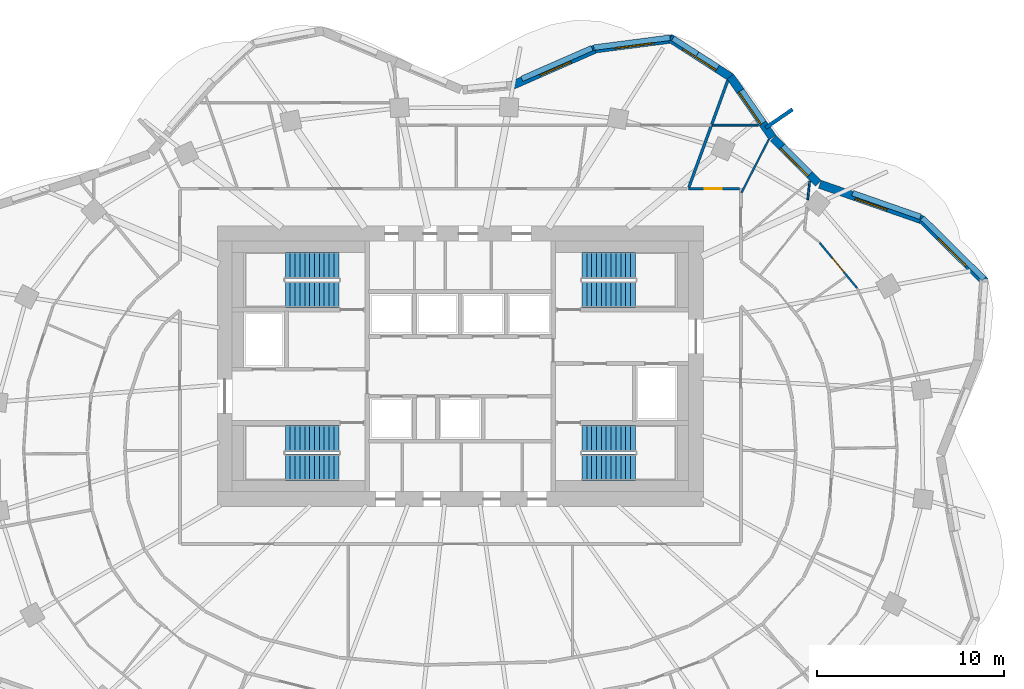
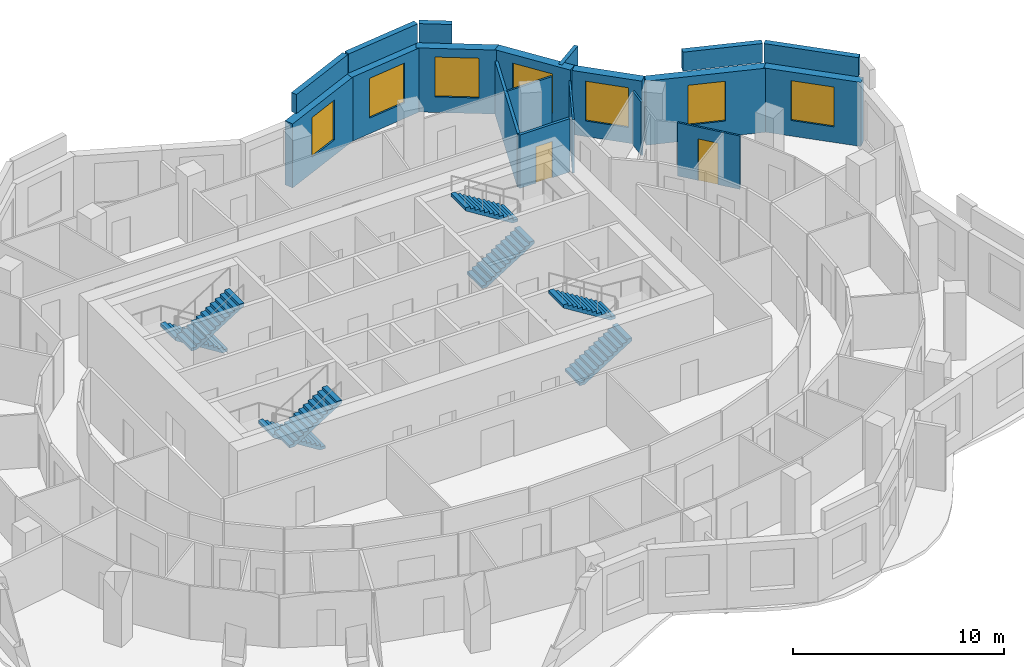
# One storey, part 10 of 11: 19 walls, 8 stair flights, 7 windows, 2 doors, 9 openings, 4 elements without a shape of their own.
"""IFC4 building model written with IfcOpenShell, lengths in metres."""

from ifc_helpers import new_model, si_unit, direction, frame, frame_2d, origin, place, context, subcontext, project, spatial, polyline, rectangle, outline, extrude, material, layer, layer_set, type_object, element, fill, aggregate, save


model = new_model("IFC4")

# Units and contexts
model_context = context("Model", 3, precision=1e-05, world=origin(), true_north=direction((0.0, 1.0)))
body_context = subcontext(model_context, "Body", "Model", "MODEL_VIEW")
ifc_project = project(units=[si_unit("LENGTHUNIT", "METRE"), si_unit("AREAUNIT", "SQUARE_METRE"), si_unit("VOLUMEUNIT", "CUBIC_METRE"), si_unit("PLANEANGLEUNIT", "RADIAN"), si_unit("MASSUNIT", "GRAM", prefix="KILO")], contexts=[model_context])

# Site, building, storey
site_placement = place(None, origin())
site = spatial("IfcSite", under=ifc_project, at=site_placement, CompositionType="ELEMENT")
building_placement = place(site_placement, origin())
building = spatial("IfcBuilding", under=site, at=building_placement, Name="Rubra Terraces Tower", CompositionType="ELEMENT")
storey_placement = place(building_placement, frame((0.0, 0.0, 197.39990234375)))
storey = spatial("IfcBuildingStorey", under=building, at=storey_placement, Name="L48", CompositionType="ELEMENT", Elevation=197.39990234375)

# Wall, opening, window
ifc_material_1 = material(Name="Brick masonry red-brown", Category="masonry")
ifc_layer_1 = layer(ifc_material_1, 0.449951171875)
ifc_layer_set_1 = layer_set([ifc_layer_1], Name="Brick masonry red-brown")
wall_type_1 = type_object("IfcWallType", Name="Brick facade wall 450", PredefinedType="SOLIDWALL", material=ifc_layer_set_1)
wall_1_placement = place(storey_placement, frame((28.06787109375, 9.010986328125, 0.0), z_axis=(0.0, 0.0, 1.0), x_axis=(-0.711293453435, 0.702895172199, 0.0)))
wall_1 = element("IfcWall", 1, at=wall_1_placement, inside=storey, type_object=wall_type_1, Name="Facade wall L48 bay 3", PredefinedType="SOLIDWALL", context=body_context, shape_type="SweptSolid", body=[
    extrude(rectangle(XDim=4.767578125, YDim=0.449951171875, at=frame_2d((2.3837890625, 0.0))), origin(), (0.0, 0.0, 1.0), 3.7001953125),
])
opening_1_placement = place(wall_1_placement, frame((1.333740234375, 0.0, 0.89990234375)))
opening_1 = element("IfcOpeningElement", 2, at=opening_1_placement, cuts=wall_1, Name="Opening W1B", PredefinedType="OPENING", context=body_context, shape_type="SweptSolid", body=[
    extrude(rectangle(XDim=2.10009765625, YDim=2.300048828125, at=frame_2d((1.050048828125, 1.14990234375))), frame((0.0, 0.23486328125, 0.0), z_axis=(0.0, -1.0, 0.0), x_axis=(1.0, 0.0, 0.0)), (0.0, 0.0, 1.0), 0.469970703125),
])
ifc_material_2 = material(Name="Clear glass in aluminium frame", Category="aluminium")
window_type_1 = type_object("IfcWindowType", Name="Fixed deep-set window tall storey 2100 x 2300", PartitioningType="SINGLE_PANEL", PredefinedType="WINDOW", material=ifc_material_2)
window_1_placement = place(opening_1_placement, origin())
window_1 = element("IfcWindow", 3, at=window_1_placement, inside=storey, type_object=window_type_1, Name="Window L48 bay 3", OverallHeight=2.300048828125, OverallWidth=2.10009765625, PartitioningType="SINGLE_PANEL", PredefinedType="WINDOW", context=body_context, shape_type="SweptSolid", body=[
    extrude(rectangle(XDim=2.10009765625, YDim=2.300048828125, at=frame_2d((1.050048828125, 1.14990234375))), frame((0.0, 0.135009765625, 0.0), z_axis=(0.0, -1.0, 0.0), x_axis=(1.0, 0.0, 0.0)), (0.0, 0.0, 1.0), 0.06005859375),
])
fill(opening_1, window_1)

wall_2_placement = place(storey_placement, frame((24.760986328125, 12.309814453125, 0.0), z_axis=(0.0, 0.0, 1.0), x_axis=(-0.944397305248, 0.328806523414, 0.0)))
wall_2 = element("IfcWall", 4, at=wall_2_placement, inside=storey, type_object=wall_type_1, Name="Facade wall L48 bay 4", PredefinedType="SOLIDWALL", context=body_context, shape_type="SweptSolid", body=[
    extrude(rectangle(XDim=5.862060546875, YDim=0.449951171875, at=frame_2d((2.93115234375, 0.0))), origin(), (0.0, 0.0, 1.0), 3.7001953125),
])
opening_2_placement = place(wall_2_placement, frame((2.031005859375, 0.0, 0.89990234375)))
opening_2 = element("IfcOpeningElement", 5, at=opening_2_placement, cuts=wall_2, Name="Opening W6B", PredefinedType="OPENING", context=body_context, shape_type="SweptSolid", body=[
    extrude(rectangle(XDim=1.800048828125, YDim=2.300048828125, at=frame_2d((0.89990234375, 1.14990234375))), frame((0.0, 0.23486328125, 0.0), z_axis=(0.0, -1.0, 0.0), x_axis=(1.0, 0.0, 0.0)), (0.0, 0.0, 1.0), 0.469970703125),
])
window_type_2 = type_object("IfcWindowType", Name="Fixed deep-set window at wind fin tall storey 1800 x 2300", PartitioningType="SINGLE_PANEL", PredefinedType="WINDOW", material=ifc_material_2)
window_2_placement = place(opening_2_placement, origin())
window_2 = element("IfcWindow", 6, at=window_2_placement, inside=storey, type_object=window_type_2, Name="Window L48 bay 4", OverallHeight=2.300048828125, OverallWidth=1.800048828125, PartitioningType="SINGLE_PANEL", PredefinedType="WINDOW", context=body_context, shape_type="SweptSolid", body=[
    extrude(rectangle(XDim=1.800048828125, YDim=2.300048828125, at=frame_2d((0.89990234375, 1.14990234375))), frame((0.0, 0.135009765625, 0.0), z_axis=(0.0, -1.0, 0.0), x_axis=(1.0, 0.0, 0.0)), (0.0, 0.0, 1.0), 0.06005859375),
])
fill(opening_2, window_2)

wall_3_placement = place(storey_placement, frame((19.145263671875, 14.285400390625, 0.0), z_axis=(0.0, 0.0, 1.0), x_axis=(-0.707427521052, 0.706785895769, 0.0)))
wall_3 = element("IfcWall", 7, at=wall_3_placement, inside=storey, type_object=wall_type_1, Name="Facade wall L48 bay 5", PredefinedType="SOLIDWALL", context=body_context, shape_type="SweptSolid", body=[
    extrude(rectangle(XDim=3.424560546875, YDim=0.449951171875, at=frame_2d((1.71240234375, 0.0))), origin(), (0.0, 0.0, 1.0), 3.7001953125),
])
opening_3_placement = place(wall_3_placement, frame((0.662353515625, 0.0, 0.89990234375)))
opening_3 = element("IfcOpeningElement", 8, at=opening_3_placement, cuts=wall_3, Name="Opening W1B", PredefinedType="OPENING", context=body_context, shape_type="SweptSolid", body=[
    extrude(rectangle(XDim=2.10009765625, YDim=2.300048828125, at=frame_2d((1.050048828125, 1.14990234375))), frame((0.0, 0.23486328125, 0.0), z_axis=(0.0, -1.0, 0.0), x_axis=(1.0, 0.0, 0.0)), (0.0, 0.0, 1.0), 0.469970703125),
])
window_3_placement = place(opening_3_placement, origin())
window_3 = element("IfcWindow", 9, at=window_3_placement, inside=storey, type_object=window_type_1, Name="Window L48 bay 5", OverallHeight=2.300048828125, OverallWidth=2.10009765625, PartitioningType="SINGLE_PANEL", PredefinedType="WINDOW", context=body_context, shape_type="SweptSolid", body=[
    extrude(rectangle(XDim=2.10009765625, YDim=2.300048828125, at=frame_2d((1.050048828125, 1.14990234375))), frame((0.0, 0.135009765625, 0.0), z_axis=(0.0, -1.0, 0.0), x_axis=(1.0, 0.0, 0.0)), (0.0, 0.0, 1.0), 0.06005859375),
])
fill(opening_3, window_3)

wall_4_placement = place(storey_placement, frame((16.695068359375, 16.73681640625, 0.0), z_axis=(0.0, 0.0, 1.0), x_axis=(-0.569652445465, 0.821885692402, 0.0)))
wall_4 = element("IfcWall", 10, at=wall_4_placement, inside=storey, type_object=wall_type_1, Name="Facade wall L48 bay 6", PredefinedType="SOLIDWALL", context=body_context, shape_type="SweptSolid", body=[
    extrude(rectangle(XDim=3.958740234375, YDim=0.449951171875, at=frame_2d((1.9794921875, 0.0))), origin(), (0.0, 0.0, 1.0), 3.7001953125),
])
opening_4_placement = place(wall_4_placement, frame((0.929443359375, 0.0, 0.89990234375)))
opening_4 = element("IfcOpeningElement", 11, at=opening_4_placement, cuts=wall_4, Name="Opening W1B", PredefinedType="OPENING", context=body_context, shape_type="SweptSolid", body=[
    extrude(rectangle(XDim=2.10009765625, YDim=2.300048828125, at=frame_2d((1.050048828125, 1.14990234375))), frame((0.0, 0.23486328125, 0.0), z_axis=(0.0, -1.0, 0.0), x_axis=(1.0, 0.0, 0.0)), (0.0, 0.0, 1.0), 0.469970703125),
])
window_4_placement = place(opening_4_placement, origin())
window_4 = element("IfcWindow", 12, at=window_4_placement, inside=storey, type_object=window_type_1, Name="Window L48 bay 6", OverallHeight=2.300048828125, OverallWidth=2.10009765625, PartitioningType="SINGLE_PANEL", PredefinedType="WINDOW", context=body_context, shape_type="SweptSolid", body=[
    extrude(rectangle(XDim=2.10009765625, YDim=2.300048828125, at=frame_2d((1.050048828125, 1.14990234375))), frame((0.0, 0.135009765625, 0.0), z_axis=(0.0, -1.0, 0.0), x_axis=(1.0, 0.0, 0.0)), (0.0, 0.0, 1.0), 0.06005859375),
])
fill(opening_4, window_4)

wall_5_placement = place(storey_placement, frame((14.499267578125, 19.934814453125, 0.0), z_axis=(0.0, 0.0, 1.0), x_axis=(-0.84080910763, 0.541331732422, 0.0)))
wall_5 = element("IfcWall", 13, at=wall_5_placement, inside=storey, type_object=wall_type_1, Name="Facade wall L48 bay 7", PredefinedType="SOLIDWALL", context=body_context, shape_type="SweptSolid", body=[
    extrude(rectangle(XDim=3.91064453125, YDim=0.449951171875, at=frame_2d((1.955322265625, 0.0))), origin(), (0.0, 0.0, 1.0), 3.7001953125),
])
opening_5_placement = place(wall_5_placement, frame((0.9052734375, 0.0, 0.89990234375)))
opening_5 = element("IfcOpeningElement", 14, at=opening_5_placement, cuts=wall_5, Name="Opening W1B", PredefinedType="OPENING", context=body_context, shape_type="SweptSolid", body=[
    extrude(rectangle(XDim=2.10009765625, YDim=2.300048828125, at=frame_2d((1.050048828125, 1.14990234375))), frame((0.0, 0.23486328125, 0.0), z_axis=(0.0, -1.0, 0.0), x_axis=(1.0, 0.0, 0.0)), (0.0, 0.0, 1.0), 0.469970703125),
])
window_5_placement = place(opening_5_placement, origin())
window_5 = element("IfcWindow", 15, at=window_5_placement, inside=storey, type_object=window_type_1, Name="Window L48 bay 7", OverallHeight=2.300048828125, OverallWidth=2.10009765625, PartitioningType="SINGLE_PANEL", PredefinedType="WINDOW", context=body_context, shape_type="SweptSolid", body=[
    extrude(rectangle(XDim=2.10009765625, YDim=2.300048828125, at=frame_2d((1.050048828125, 1.14990234375))), frame((0.0, 0.135009765625, 0.0), z_axis=(0.0, -1.0, 0.0), x_axis=(1.0, 0.0, 0.0)), (0.0, 0.0, 1.0), 0.06005859375),
])
fill(opening_5, window_5)

wall_6_placement = place(storey_placement, frame((11.36181640625, 22.017822265625, 0.0), z_axis=(0.0, 0.0, 1.0), x_axis=(-0.991724958022, -0.128380713645, 0.0)))
wall_6 = element("IfcWall", 16, at=wall_6_placement, inside=storey, type_object=wall_type_1, Name="Facade wall L48 bay 8", PredefinedType="SOLIDWALL", context=body_context, shape_type="SweptSolid", body=[
    extrude(rectangle(XDim=4.181884765625, YDim=0.449951171875, at=frame_2d((2.0908203125, 0.0))), origin(), (0.0, 0.0, 1.0), 3.7001953125),
])
opening_6_placement = place(wall_6_placement, frame((1.041015625, 0.0, 0.89990234375)))
opening_6 = element("IfcOpeningElement", 17, at=opening_6_placement, cuts=wall_6, Name="Opening W1B", PredefinedType="OPENING", context=body_context, shape_type="SweptSolid", body=[
    extrude(rectangle(XDim=2.10009765625, YDim=2.300048828125, at=frame_2d((1.050048828125, 1.14990234375))), frame((0.0, 0.23486328125, 0.0), z_axis=(0.0, -1.0, 0.0), x_axis=(1.0, 0.0, 0.0)), (0.0, 0.0, 1.0), 0.469970703125),
])
window_6_placement = place(opening_6_placement, origin())
window_6 = element("IfcWindow", 18, at=window_6_placement, inside=storey, type_object=window_type_1, Name="Window L48 bay 8", OverallHeight=2.300048828125, OverallWidth=2.10009765625, PartitioningType="SINGLE_PANEL", PredefinedType="WINDOW", context=body_context, shape_type="SweptSolid", body=[
    extrude(rectangle(XDim=2.10009765625, YDim=2.300048828125, at=frame_2d((1.050048828125, 1.14990234375))), frame((0.0, 0.135009765625, 0.0), z_axis=(0.0, -1.0, 0.0), x_axis=(1.0, 0.0, 0.0)), (0.0, 0.0, 1.0), 0.06005859375),
])
fill(opening_6, window_6)

wall_7_placement = place(storey_placement, frame((7.27587890625, 21.498046875, 0.0), z_axis=(0.0, 0.0, 1.0), x_axis=(-0.915872941312, -0.401468249519, 0.0)))
wall_7 = element("IfcWall", 19, at=wall_7_placement, inside=storey, type_object=wall_type_1, Name="Facade wall L48 bay 9", PredefinedType="SOLIDWALL", context=body_context, shape_type="SweptSolid", body=[
    extrude(rectangle(XDim=4.870361328125, YDim=0.449951171875, at=frame_2d((2.43505859375, 0.0))), origin(), (0.0, 0.0, 1.0), 3.7001953125),
])
opening_7_placement = place(wall_7_placement, frame((1.535400390625, 0.0, 0.89990234375)))
opening_7 = element("IfcOpeningElement", 20, at=opening_7_placement, cuts=wall_7, Name="Opening W6B", PredefinedType="OPENING", context=body_context, shape_type="SweptSolid", body=[
    extrude(rectangle(XDim=1.800048828125, YDim=2.300048828125, at=frame_2d((0.89990234375, 1.14990234375))), frame((0.0, 0.23486328125, 0.0), z_axis=(0.0, -1.0, 0.0), x_axis=(1.0, 0.0, 0.0)), (0.0, 0.0, 1.0), 0.469970703125),
])
window_7_placement = place(opening_7_placement, origin())
window_7 = element("IfcWindow", 21, at=window_7_placement, inside=storey, type_object=window_type_2, Name="Window L48 bay 9", OverallHeight=2.300048828125, OverallWidth=1.800048828125, PartitioningType="SINGLE_PANEL", PredefinedType="WINDOW", context=body_context, shape_type="SweptSolid", body=[
    extrude(rectangle(XDim=1.800048828125, YDim=2.300048828125, at=frame_2d((0.89990234375, 1.14990234375))), frame((0.0, 0.135009765625, 0.0), z_axis=(0.0, -1.0, 0.0), x_axis=(1.0, 0.0, 0.0)), (0.0, 0.0, 1.0), 0.06005859375),
])
fill(opening_7, window_7)

# Walls
ifc_layer_2 = layer(ifc_material_1, 0.300048828125)
ifc_layer_set_2 = layer_set([ifc_layer_2], Name="Brick masonry red-brown")
wall_type_2 = type_object("IfcWallType", Name="Brick parapet 300", PredefinedType="PARAPET", material=ifc_layer_set_2)
wall_8_placement = place(storey_placement, frame((28.00048828125, 9.18310546875, 3.900146484375), z_axis=(0.0, 0.0, 1.0), x_axis=(-0.711291435321, 0.702897214419, 0.0)))
element("IfcWall", 22, at=wall_8_placement, inside=storey, type_object=wall_type_2, Name="Parapet L48 bay 3", PredefinedType="PARAPET", context=body_context, shape_type="SweptSolid", body=[
    extrude(rectangle(XDim=4.62451171875, YDim=0.300048828125, at=frame_2d((2.312255859375, 0.0))), origin(), (0.0, 0.0, 1.0), 1.099853515625),
])
wall_9_placement = place(storey_placement, frame((24.605224609375, 12.49951171875, 3.900146484375), z_axis=(0.0, 0.0, 1.0), x_axis=(-0.944373295981, 0.328875474668, 0.0)))
element("IfcWall", 23, at=wall_9_placement, inside=storey, type_object=wall_type_2, Name="Parapet L48 bay 4", PredefinedType="PARAPET", context=body_context, shape_type="SweptSolid", body=[
    extrude(rectangle(XDim=3.84228515625, YDim=0.300048828125, at=frame_2d((1.921142578125, 0.0))), origin(), (0.0, 0.0, 1.0), 1.099853515625),
])
wall_10_placement = place(storey_placement, frame((12.680419921875, 21.195068359375, 3.900146484375), z_axis=(0.0, 0.0, 1.0), x_axis=(-0.840806975541, 0.541335044018, 0.0)))
element("IfcWall", 24, at=wall_10_placement, inside=storey, type_object=wall_type_2, Name="Parapet L48 bay 7", PredefinedType="PARAPET", context=body_context, shape_type="SweptSolid", body=[
    extrude(rectangle(XDim=1.5595703125, YDim=0.300048828125, at=frame_2d((0.77978515625, 0.0))), origin(), (0.0, 0.0, 1.0), 1.099853515625),
])
wall_11_placement = place(storey_placement, frame((11.2138671875, 22.07421875, 3.900146484375), z_axis=(0.0, 0.0, 1.0), x_axis=(-0.991727449614, -0.128361464939, 0.0)))
element("IfcWall", 25, at=wall_11_placement, inside=storey, type_object=wall_type_2, Name="Parapet L48 bay 8", PredefinedType="PARAPET", context=body_context, shape_type="SweptSolid", body=[
    extrude(rectangle(XDim=4.110107421875, YDim=0.300048828125, at=frame_2d((2.05517578125, 0.0))), origin(), (0.0, 0.0, 1.0), 1.099853515625),
])
wall_12_placement = place(storey_placement, frame((7.039306640625, 21.519287109375, 3.900146484375), z_axis=(0.0, 0.0, 1.0), x_axis=(-0.915890739732, -0.401427643384, 0.0)))
element("IfcWall", 26, at=wall_12_placement, inside=storey, type_object=wall_type_2, Name="Parapet L48 bay 9", PredefinedType="PARAPET", context=body_context, shape_type="SweptSolid", body=[
    extrude(rectangle(XDim=4.1015625, YDim=0.300048828125, at=frame_2d((2.05078125, 0.0))), origin(), (0.0, 0.0, 1.0), 1.099853515625),
])
ifc_layer_3 = layer(ifc_material_1, 0.199951171875)
ifc_layer_set_3 = layer_set([ifc_layer_3], Name="Brick masonry red-brown")
wall_type_3 = type_object("IfcWallType", Name="Brick wind fin 200", PredefinedType="SOLIDWALL", material=ifc_layer_set_3)
wall_13_placement = place(storey_placement, frame((16.322021484375, 17.2529296875, 0.0), z_axis=(0.0, 0.0, 1.0), x_axis=(0.824440606412, 0.565948483962, 0.0)))
element("IfcWall", 27, at=wall_13_placement, inside=storey, type_object=wall_type_3, Name="Wind fin L48 4", PredefinedType="SOLIDWALL", context=body_context, shape_type="SweptSolid", body=[
    extrude(rectangle(XDim=1.75, YDim=0.199951171875, at=frame_2d((0.875, 0.0))), origin(), (0.0, 0.0, 1.0), 3.7001953125),
])

# Wall, opening, door
ifc_material_3 = material(Name="Plasterboard on steel stud, mineral wool infill", Category="steel")
ifc_layer_4 = layer(ifc_material_3, 0.14990234375)
ifc_layer_set_4 = layer_set([ifc_layer_4], Name="Plasterboard on steel stud, mineral wool infill")
wall_type_4 = type_object("IfcWallType", Name="CORRIDOR PARTITION 150", PredefinedType="PARTITIONING", material=ifc_layer_set_4)
wall_14_placement = place(storey_placement, frame((14.925048828125, 14.0, 0.0), z_axis=(0.0, 0.0, 1.0), x_axis=(-1.0, 0.0, 0.0)))
wall_14 = element("IfcWall", 28, at=wall_14_placement, inside=storey, type_object=wall_type_4, Name="PARTITION", PredefinedType="PARTITIONING", context=body_context, shape_type="SweptSolid", body=[
    extrude(rectangle(XDim=2.73291015625, YDim=0.14990234375, at=frame_2d((1.366455078125, 0.0))), origin(), (0.0, 0.0, 1.0), 3.083984375),
])
opening_8_placement = place(wall_14_placement, frame((0.949951171875, 0.0, 0.0)))
opening_8 = element("IfcOpeningElement", 29, at=opening_8_placement, cuts=wall_14, Name="Opening 48-141", PredefinedType="OPENING", context=body_context, shape_type="SweptSolid", body=[
    extrude(rectangle(XDim=0.89990234375, YDim=2.10009765625, at=frame_2d((0.449951171875, 1.050048828125))), frame((0.0, 0.0849609375, 0.0), z_axis=(0.0, -1.0, 0.0), x_axis=(1.0, 0.0, 0.0)), (0.0, 0.0, 1.0), 0.169921875),
])
ifc_material_4 = material(Name="Painted timber door leaf", Category="wood")
door_type_1 = type_object("IfcDoorType", Name="BATHROOM DOOR 900 X 2100", OperationType="SINGLE_SWING_LEFT", PredefinedType="DOOR", material=ifc_material_4)
door_1_placement = place(opening_8_placement, origin())
door_1 = element("IfcDoor", 30, at=door_1_placement, inside=storey, type_object=door_type_1, Name="DOOR 48-141", OperationType="SINGLE_SWING_RIGHT", OverallHeight=2.10009765625, OverallWidth=0.89990234375, PredefinedType="DOOR", context=body_context, shape_type="SweptSolid", body=[
    extrude(rectangle(XDim=0.89990234375, YDim=2.10009765625, at=frame_2d((0.449951171875, 1.050048828125))), frame((0.0, 0.02490234375, 0.0), z_axis=(0.0, -1.0, 0.0), x_axis=(1.0, 0.0, 0.0)), (0.0, 0.0, 1.0), 0.050048828125),
])
fill(opening_8, door_1)

# Walls
ifc_material_5 = material(Name="Plasterboard on steel stud", Category="steel")
ifc_layer_5 = layer(ifc_material_5, 0.10009765625)
ifc_layer_set_5 = layer_set([ifc_layer_5], Name="Plasterboard on steel stud")
wall_type_5 = type_object("IfcWallType", Name="ROOM PARTITION 100", PredefinedType="PARTITIONING", material=ifc_layer_set_5)
wall_15_placement = place(storey_placement, frame((13.451904296875, 17.39990234375, 0.0), z_axis=(0.0, 0.0, 1.0), x_axis=(1.0, 0.0, 0.0)))
element("IfcWall", 31, at=wall_15_placement, inside=storey, type_object=wall_type_5, Name="PARTITION", PredefinedType="PARTITIONING", context=body_context, shape_type="SweptSolid", body=[
    extrude(rectangle(XDim=2.485595703125, YDim=0.10009765625, at=frame_2d((1.24267578125, 0.0))), origin(), (0.0, 0.0, 1.0), 3.083984375),
])
wall_16_placement = place(storey_placement, frame((18.6806640625, 14.403564453125, 0.0), z_axis=(0.0, 0.0, 1.0), x_axis=(-0.106080909628, -0.994357501411, 0.0)))
element("IfcWall", 32, at=wall_16_placement, inside=storey, type_object=wall_type_5, Name="PARTITION", PredefinedType="PARTITIONING", context=body_context, shape_type="SweptSolid", body=[
    extrude(rectangle(XDim=1.01025390625, YDim=0.10009765625, at=frame_2d((0.505126953125, 0.0))), origin(), (0.0, 0.0, 1.0), 3.083984375),
])

# Wall, opening, door
wall_17_placement = place(storey_placement, frame((19.20556640625, 11.12060546875, 0.0), z_axis=(0.0, 0.0, 1.0), x_axis=(0.636597206989, -0.771196470462, 0.0)))
wall_17 = element("IfcWall", 33, at=wall_17_placement, inside=storey, type_object=wall_type_5, Name="PARTITION", PredefinedType="PARTITIONING", context=body_context, shape_type="SweptSolid", body=[
    extrude(rectangle(XDim=3.15234375, YDim=0.10009765625, at=frame_2d((1.576171875, 0.0))), origin(), (0.0, 0.0, 1.0), 3.083984375),
])
opening_9_placement = place(wall_17_placement, frame((1.050048828125, 0.0, 0.0)))
opening_9 = element("IfcOpeningElement", 34, at=opening_9_placement, cuts=wall_17, Name="Opening 48-138", PredefinedType="OPENING", context=body_context, shape_type="SweptSolid", body=[
    extrude(rectangle(XDim=1.0, YDim=2.39990234375, at=frame_2d((0.5, 1.199951171875))), frame((0.0, 0.06005859375, 0.0), z_axis=(0.0, -1.0, 0.0), x_axis=(1.0, 0.0, 0.0)), (0.0, 0.0, 1.0), 0.1201171875),
])
ifc_material_6 = material(Name="Glazed aluminium meeting door leaf", Category="aluminium")
door_type_2 = type_object("IfcDoorType", Name="MEETING ROOM GLAZED DOOR 1000 X 2400", OperationType="SINGLE_SWING_LEFT", PredefinedType="DOOR", material=ifc_material_6)
door_2_placement = place(opening_9_placement, origin())
door_2 = element("IfcDoor", 35, at=door_2_placement, inside=storey, type_object=door_type_2, Name="DOOR 48-138", OperationType="SINGLE_SWING_LEFT", OverallHeight=2.39990234375, OverallWidth=1.0, PredefinedType="DOOR", context=body_context, shape_type="SweptSolid", body=[
    extrude(rectangle(XDim=1.0, YDim=2.39990234375, at=frame_2d((0.5, 1.199951171875))), frame((0.0, 0.02490234375, 0.0), z_axis=(0.0, -1.0, 0.0), x_axis=(1.0, 0.0, 0.0)), (0.0, 0.0, 1.0), 0.050048828125),
])
fill(opening_9, door_2)

# Walls
wall_18_placement = place(storey_placement, frame((15.0341796875, 13.78515625, 0.0), z_axis=(0.0, 0.0, 1.0), x_axis=(0.455523603198, 0.890223706115, 0.0)))
element("IfcWall", 36, at=wall_18_placement, inside=storey, type_object=wall_type_5, Name="PARTITION", PredefinedType="PARTITIONING", context=body_context, shape_type="SweptSolid", body=[
    extrude(rectangle(XDim=3.20068359375, YDim=0.10009765625, at=frame_2d((1.600341796875, 0.0))), origin(), (0.0, 0.0, 1.0), 3.083984375),
])
ifc_layer_6 = layer(ifc_material_5, 0.14990234375)
ifc_layer_set_6 = layer_set([ifc_layer_6], Name="Plasterboard on steel stud")
wall_type_6 = type_object("IfcWallType", Name="ROOM PARTITION 150", PredefinedType="PARTITIONING", material=ifc_layer_set_6)
wall_19_placement = place(storey_placement, frame((14.30078125, 19.7890625, 0.0), z_axis=(0.0, 0.0, 1.0), x_axis=(-0.342258353436, -0.9396058852, 0.0)))
element("IfcWall", 37, at=wall_19_placement, inside=storey, type_object=wall_type_6, Name="PARTITION", PredefinedType="PARTITIONING", context=body_context, shape_type="SweptSolid", body=[
    extrude(rectangle(XDim=6.086181640625, YDim=0.14990234375, at=frame_2d((3.04296875, 0.0))), origin(), (0.0, 0.0, 1.0), 3.083984375),
])

# Stair, stair flights
ifc_material_7 = material(Name="Concrete C40", Category="concrete")
stair_type = type_object("IfcStairType", Name="Core stair 1400", PredefinedType="HALF_TURN_STAIR", material=ifc_material_7)
stair_1_placement = place(storey_placement, origin())
stair_1 = element("IfcStair", 38, at=stair_1_placement, inside=storey, type_object=stair_type, Name="L48 Exit stair S1", PredefinedType="HALF_TURN_STAIR")
stair_flight_type = type_object("IfcStairFlightType", Name="Core stair flight 1400", PredefinedType="STRAIGHT", material=ifc_material_7)
stair_flight_1_placement = place(storey_placement, frame((-6.5, 0.64990234375, 0.0), z_axis=(0.0, 0.0, 1.0), x_axis=(-1.0, 0.0, 0.0)))
stair_flight_1 = element("IfcStairFlight", 39, at=stair_flight_1_placement, type_object=stair_flight_type, Name="S1 flight 1", NumberOfRisers=12, NumberOfTreads=11, PredefinedType="STRAIGHT", RiserHeight=0.1625, TreadLength=0.26, context=body_context, shape_type="SweptSolid", body=[
    extrude(outline(polyline([(0.0, 0.0), (0.0, 0.16259765625), (0.260009765625, 0.16259765625), (0.260009765625, 0.324951171875), (0.52001953125, 0.324951171875), (0.52001953125, 0.487548828125), (0.780029296875, 0.487548828125), (0.780029296875, 0.64990234375), (1.0400390625, 0.64990234375), (1.0400390625, 0.8125), (1.300048828125, 0.8125), (1.300048828125, 0.97509765625), (1.56005859375, 0.97509765625), (1.56005859375, 1.137451171875), (1.820068359375, 1.137451171875), (1.820068359375, 1.300048828125), (2.080078125, 1.300048828125), (2.080078125, 1.46240234375), (2.340087890625, 1.46240234375), (2.340087890625, 1.625), (2.60009765625, 1.625), (2.60009765625, 1.78759765625), (2.860107421875, 1.78759765625), (2.860107421875, 1.949951171875), (2.860107421875, 1.61083984375), (0.28271484375, 0.0), (0.0, 0.0)])), frame((0.0, 0.699951171875, 0.0), z_axis=(0.0, -1.0, 0.0), x_axis=(1.0, 0.0, 0.0)), (0.0, 0.0, 1.0), 1.39990234375),
])
stair_flight_2_placement = place(storey_placement, frame((-9.360107421875, -0.89990234375, 1.9501953125), z_axis=(0.0, 0.0, 1.0), x_axis=(1.0, 0.0, 0.0)))
stair_flight_2 = element("IfcStairFlight", 40, at=stair_flight_2_placement, type_object=stair_flight_type, Name="S1 flight 2", NumberOfRisers=12, NumberOfTreads=11, PredefinedType="STRAIGHT", RiserHeight=0.1625, TreadLength=0.26, context=body_context, shape_type="SweptSolid", body=[
    extrude(outline(polyline([(0.0, 0.0), (0.0, 0.16259765625), (0.260009765625, 0.16259765625), (0.260009765625, 0.324951171875), (0.52001953125, 0.324951171875), (0.52001953125, 0.487548828125), (0.780029296875, 0.487548828125), (0.780029296875, 0.64990234375), (1.0400390625, 0.64990234375), (1.0400390625, 0.8125), (1.300048828125, 0.8125), (1.300048828125, 0.97509765625), (1.56005859375, 0.97509765625), (1.56005859375, 1.137451171875), (1.820068359375, 1.137451171875), (1.820068359375, 1.300048828125), (2.080078125, 1.300048828125), (2.080078125, 1.46240234375), (2.340087890625, 1.46240234375), (2.340087890625, 1.625), (2.60009765625, 1.625), (2.60009765625, 1.78759765625), (2.860107421875, 1.78759765625), (2.860107421875, 1.949951171875), (2.860107421875, 1.61083984375), (0.28271484375, 0.0), (0.0, 0.0)])), frame((0.0, 0.699951171875, 0.0), z_axis=(0.0, -1.0, 0.0), x_axis=(1.0, 0.0, 0.0)), (0.0, 0.0, 1.0), 1.39990234375),
])
aggregate(stair_1, [stair_flight_1, stair_flight_2])

stair_2_placement = place(storey_placement, origin())
stair_2 = element("IfcStair", 41, at=stair_2_placement, inside=storey, type_object=stair_type, Name="L48 Exit stair S2", PredefinedType="HALF_TURN_STAIR")
stair_flight_3_placement = place(storey_placement, frame((-6.5, 9.89990234375, 0.0), z_axis=(0.0, 0.0, 1.0), x_axis=(-1.0, 0.0, 0.0)))
stair_flight_3 = element("IfcStairFlight", 42, at=stair_flight_3_placement, type_object=stair_flight_type, Name="S2 flight 1", NumberOfRisers=12, NumberOfTreads=11, PredefinedType="STRAIGHT", RiserHeight=0.1625, TreadLength=0.26, context=body_context, shape_type="SweptSolid", body=[
    extrude(outline(polyline([(0.0, 0.0), (0.0, 0.16259765625), (0.260009765625, 0.16259765625), (0.260009765625, 0.324951171875), (0.52001953125, 0.324951171875), (0.52001953125, 0.487548828125), (0.780029296875, 0.487548828125), (0.780029296875, 0.64990234375), (1.0400390625, 0.64990234375), (1.0400390625, 0.8125), (1.300048828125, 0.8125), (1.300048828125, 0.97509765625), (1.56005859375, 0.97509765625), (1.56005859375, 1.137451171875), (1.820068359375, 1.137451171875), (1.820068359375, 1.300048828125), (2.080078125, 1.300048828125), (2.080078125, 1.46240234375), (2.340087890625, 1.46240234375), (2.340087890625, 1.625), (2.60009765625, 1.625), (2.60009765625, 1.78759765625), (2.860107421875, 1.78759765625), (2.860107421875, 1.949951171875), (2.860107421875, 1.61083984375), (0.28271484375, 0.0), (0.0, 0.0)])), frame((0.0, 0.699951171875, 0.0), z_axis=(0.0, -1.0, 0.0), x_axis=(1.0, 0.0, 0.0)), (0.0, 0.0, 1.0), 1.39990234375),
])
stair_flight_4_placement = place(storey_placement, frame((-9.360107421875, 8.35009765625, 1.9501953125), z_axis=(0.0, 0.0, 1.0), x_axis=(1.0, 0.0, 0.0)))
stair_flight_4 = element("IfcStairFlight", 43, at=stair_flight_4_placement, type_object=stair_flight_type, Name="S2 flight 2", NumberOfRisers=12, NumberOfTreads=11, PredefinedType="STRAIGHT", RiserHeight=0.1625, TreadLength=0.26, context=body_context, shape_type="SweptSolid", body=[
    extrude(outline(polyline([(0.0, 0.0), (0.0, 0.16259765625), (0.260009765625, 0.16259765625), (0.260009765625, 0.324951171875), (0.52001953125, 0.324951171875), (0.52001953125, 0.487548828125), (0.780029296875, 0.487548828125), (0.780029296875, 0.64990234375), (1.0400390625, 0.64990234375), (1.0400390625, 0.8125), (1.300048828125, 0.8125), (1.300048828125, 0.97509765625), (1.56005859375, 0.97509765625), (1.56005859375, 1.137451171875), (1.820068359375, 1.137451171875), (1.820068359375, 1.300048828125), (2.080078125, 1.300048828125), (2.080078125, 1.46240234375), (2.340087890625, 1.46240234375), (2.340087890625, 1.625), (2.60009765625, 1.625), (2.60009765625, 1.78759765625), (2.860107421875, 1.78759765625), (2.860107421875, 1.949951171875), (2.860107421875, 1.61083984375), (0.28271484375, 0.0), (0.0, 0.0)])), frame((0.0, 0.699951171875, 0.0), z_axis=(0.0, -1.0, 0.0), x_axis=(1.0, 0.0, 0.0)), (0.0, 0.0, 1.0), 1.39990234375),
])
aggregate(stair_2, [stair_flight_3, stair_flight_4])

stair_3_placement = place(storey_placement, origin())
stair_3 = element("IfcStair", 44, at=stair_3_placement, inside=storey, type_object=stair_type, Name="L48 Exit stair S3", PredefinedType="HALF_TURN_STAIR")
stair_flight_5_placement = place(storey_placement, frame((6.5, 8.35009765625, 0.0), z_axis=(0.0, 0.0, 1.0), x_axis=(1.0, 0.0, 0.0)))
stair_flight_5 = element("IfcStairFlight", 45, at=stair_flight_5_placement, type_object=stair_flight_type, Name="S3 flight 1", NumberOfRisers=12, NumberOfTreads=11, PredefinedType="STRAIGHT", RiserHeight=0.1625, TreadLength=0.26, context=body_context, shape_type="SweptSolid", body=[
    extrude(outline(polyline([(0.0, 0.0), (0.0, 0.16259765625), (0.260009765625, 0.16259765625), (0.260009765625, 0.324951171875), (0.52001953125, 0.324951171875), (0.52001953125, 0.487548828125), (0.780029296875, 0.487548828125), (0.780029296875, 0.64990234375), (1.0400390625, 0.64990234375), (1.0400390625, 0.8125), (1.300048828125, 0.8125), (1.300048828125, 0.97509765625), (1.56005859375, 0.97509765625), (1.56005859375, 1.137451171875), (1.820068359375, 1.137451171875), (1.820068359375, 1.300048828125), (2.080078125, 1.300048828125), (2.080078125, 1.46240234375), (2.340087890625, 1.46240234375), (2.340087890625, 1.625), (2.60009765625, 1.625), (2.60009765625, 1.78759765625), (2.860107421875, 1.78759765625), (2.860107421875, 1.949951171875), (2.860107421875, 1.61083984375), (0.28271484375, 0.0), (0.0, 0.0)])), frame((0.0, 0.699951171875, 0.0), z_axis=(0.0, -1.0, 0.0), x_axis=(1.0, 0.0, 0.0)), (0.0, 0.0, 1.0), 1.39990234375),
])
stair_flight_6_placement = place(storey_placement, frame((9.360107421875, 9.89990234375, 1.9501953125), z_axis=(0.0, 0.0, 1.0), x_axis=(-1.0, 0.0, 0.0)))
stair_flight_6 = element("IfcStairFlight", 46, at=stair_flight_6_placement, type_object=stair_flight_type, Name="S3 flight 2", NumberOfRisers=12, NumberOfTreads=11, PredefinedType="STRAIGHT", RiserHeight=0.1625, TreadLength=0.26, context=body_context, shape_type="SweptSolid", body=[
    extrude(outline(polyline([(0.0, 0.0), (0.0, 0.16259765625), (0.260009765625, 0.16259765625), (0.260009765625, 0.324951171875), (0.52001953125, 0.324951171875), (0.52001953125, 0.487548828125), (0.780029296875, 0.487548828125), (0.780029296875, 0.64990234375), (1.0400390625, 0.64990234375), (1.0400390625, 0.8125), (1.300048828125, 0.8125), (1.300048828125, 0.97509765625), (1.56005859375, 0.97509765625), (1.56005859375, 1.137451171875), (1.820068359375, 1.137451171875), (1.820068359375, 1.300048828125), (2.080078125, 1.300048828125), (2.080078125, 1.46240234375), (2.340087890625, 1.46240234375), (2.340087890625, 1.625), (2.60009765625, 1.625), (2.60009765625, 1.78759765625), (2.860107421875, 1.78759765625), (2.860107421875, 1.949951171875), (2.860107421875, 1.61083984375), (0.28271484375, 0.0), (0.0, 0.0)])), frame((0.0, 0.699951171875, 0.0), z_axis=(0.0, -1.0, 0.0), x_axis=(1.0, 0.0, 0.0)), (0.0, 0.0, 1.0), 1.39990234375),
])
aggregate(stair_3, [stair_flight_5, stair_flight_6])

stair_4_placement = place(storey_placement, origin())
stair_4 = element("IfcStair", 47, at=stair_4_placement, inside=storey, type_object=stair_type, Name="L48 Exit stair S4", PredefinedType="HALF_TURN_STAIR")
stair_flight_7_placement = place(storey_placement, frame((6.5, -0.89990234375, 0.0), z_axis=(0.0, 0.0, 1.0), x_axis=(1.0, 0.0, 0.0)))
stair_flight_7 = element("IfcStairFlight", 48, at=stair_flight_7_placement, type_object=stair_flight_type, Name="S4 flight 1", NumberOfRisers=12, NumberOfTreads=11, PredefinedType="STRAIGHT", RiserHeight=0.1625, TreadLength=0.26, context=body_context, shape_type="SweptSolid", body=[
    extrude(outline(polyline([(0.0, 0.0), (0.0, 0.16259765625), (0.260009765625, 0.16259765625), (0.260009765625, 0.324951171875), (0.52001953125, 0.324951171875), (0.52001953125, 0.487548828125), (0.780029296875, 0.487548828125), (0.780029296875, 0.64990234375), (1.0400390625, 0.64990234375), (1.0400390625, 0.8125), (1.300048828125, 0.8125), (1.300048828125, 0.97509765625), (1.56005859375, 0.97509765625), (1.56005859375, 1.137451171875), (1.820068359375, 1.137451171875), (1.820068359375, 1.300048828125), (2.080078125, 1.300048828125), (2.080078125, 1.46240234375), (2.340087890625, 1.46240234375), (2.340087890625, 1.625), (2.60009765625, 1.625), (2.60009765625, 1.78759765625), (2.860107421875, 1.78759765625), (2.860107421875, 1.949951171875), (2.860107421875, 1.61083984375), (0.28271484375, 0.0), (0.0, 0.0)])), frame((0.0, 0.699951171875, 0.0), z_axis=(0.0, -1.0, 0.0), x_axis=(1.0, 0.0, 0.0)), (0.0, 0.0, 1.0), 1.39990234375),
])
stair_flight_8_placement = place(storey_placement, frame((9.360107421875, 0.64990234375, 1.9501953125), z_axis=(0.0, 0.0, 1.0), x_axis=(-1.0, 0.0, 0.0)))
stair_flight_8 = element("IfcStairFlight", 49, at=stair_flight_8_placement, type_object=stair_flight_type, Name="S4 flight 2", NumberOfRisers=12, NumberOfTreads=11, PredefinedType="STRAIGHT", RiserHeight=0.1625, TreadLength=0.26, context=body_context, shape_type="SweptSolid", body=[
    extrude(outline(polyline([(0.0, 0.0), (0.0, 0.16259765625), (0.260009765625, 0.16259765625), (0.260009765625, 0.324951171875), (0.52001953125, 0.324951171875), (0.52001953125, 0.487548828125), (0.780029296875, 0.487548828125), (0.780029296875, 0.64990234375), (1.0400390625, 0.64990234375), (1.0400390625, 0.8125), (1.300048828125, 0.8125), (1.300048828125, 0.97509765625), (1.56005859375, 0.97509765625), (1.56005859375, 1.137451171875), (1.820068359375, 1.137451171875), (1.820068359375, 1.300048828125), (2.080078125, 1.300048828125), (2.080078125, 1.46240234375), (2.340087890625, 1.46240234375), (2.340087890625, 1.625), (2.60009765625, 1.625), (2.60009765625, 1.78759765625), (2.860107421875, 1.78759765625), (2.860107421875, 1.949951171875), (2.860107421875, 1.61083984375), (0.28271484375, 0.0), (0.0, 0.0)])), frame((0.0, 0.699951171875, 0.0), z_axis=(0.0, -1.0, 0.0), x_axis=(1.0, 0.0, 0.0)), (0.0, 0.0, 1.0), 1.39990234375),
])
aggregate(stair_4, [stair_flight_7, stair_flight_8])

save(model, "model.ifc")
